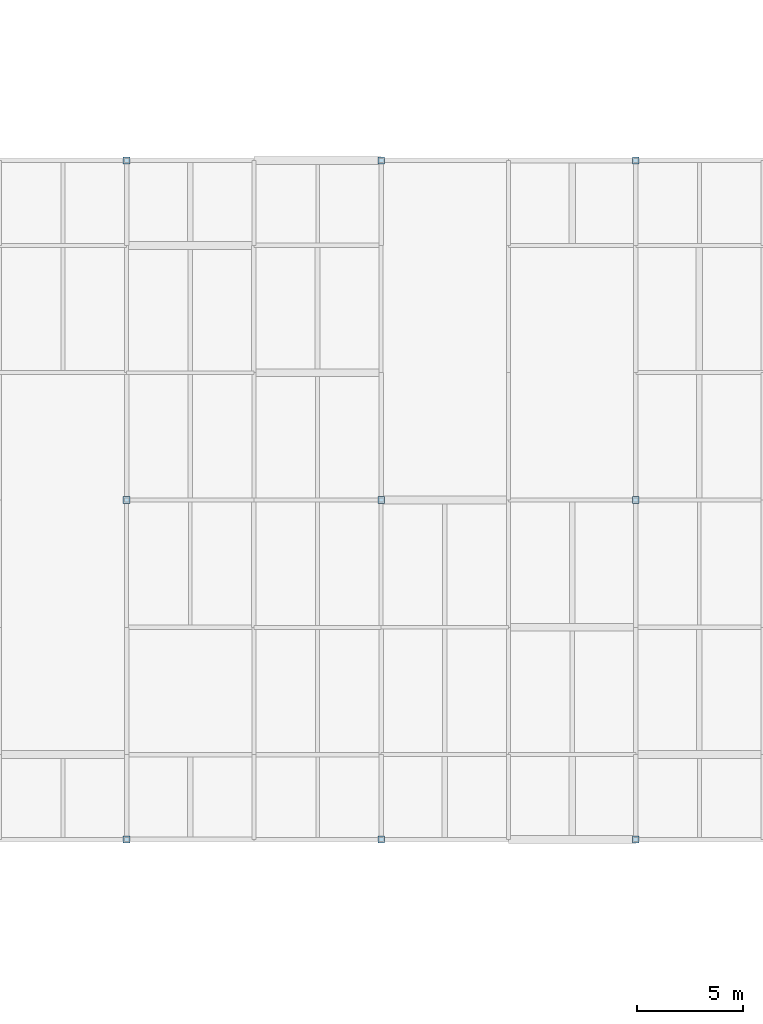
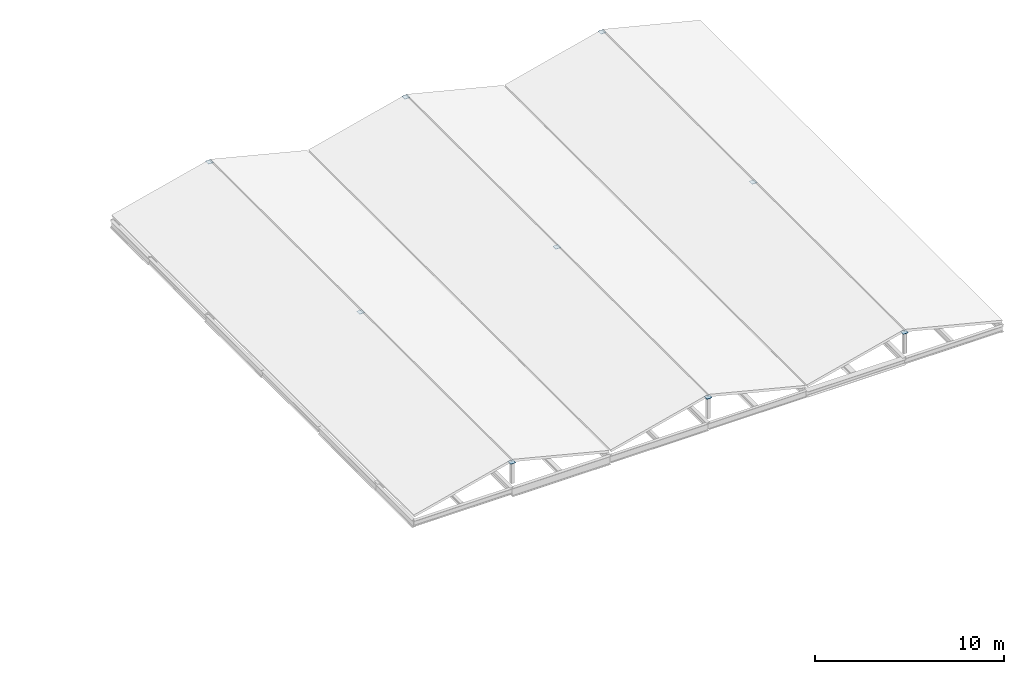
# One storey, part 29 of 35: 9 plates.
"""IFC4 building model written with IfcOpenShell, lengths in metres."""

from ifc_helpers import new_model, si_unit, direction, frame, origin, origin_2d, place, context, subcontext, project, spatial, rectangle, extrude, material, layer, layer_set, type_object, element, save


model = new_model("IFC4")

# Units and contexts
model_context = context("Model", 3, precision=1e-05, world=origin(), true_north=direction((0.0, 1.0)))
body_context = subcontext(model_context, "Body", "Model", "MODEL_VIEW")
ifc_project = project(units=[si_unit("LENGTHUNIT", "METRE"), si_unit("AREAUNIT", "SQUARE_METRE"), si_unit("VOLUMEUNIT", "CUBIC_METRE"), si_unit("PLANEANGLEUNIT", "RADIAN"), si_unit("MASSUNIT", "GRAM", prefix="KILO")], contexts=[model_context])

# Site, building, storey
site_placement = place(None, origin())
site = spatial("IfcSite", under=ifc_project, at=site_placement, CompositionType="ELEMENT")
building_placement = place(site_placement, origin())
building = spatial("IfcBuilding", under=site, at=building_placement, Name="Verrall Gate Interchange", CompositionType="ELEMENT")
storey_placement = place(building_placement, frame((0.0, 0.0, 15.39990234375)))
storey = spatial("IfcBuildingStorey", under=building, at=storey_placement, Name="L04", CompositionType="ELEMENT", Elevation=15.39990234375)

# Plates
ifc_material = material(Name="Structural Steel CSA G40.21 350WT Cat 4", Category="steel")
ifc_layer = layer(ifc_material, 0.02001953125)
ifc_layer_set = layer_set([ifc_layer], Name="Structural Steel CSA G40.21 350WT Cat 4")
plate_type = type_object("IfcPlateType", Name="GP-01 Gusset Plate 20", PredefinedType="SHEET", material=ifc_layer_set)
for number, where, z_axis, x_axis, name in (
    (1, (138.0, 12.0, 1.320068359375), (0.0, 0.0, 1.0), (1.0, 0.0, 0.0), "L04 King-Post Cap Plate 009"),
    (2, (138.0, 28.0, 1.320068359375), (0.0, 0.0, 1.0), (1.0, 0.0, 0.0), "L04 King-Post Cap Plate 010"),
    (3, (138.0, 44.0, 1.320068359375), (0.0, 0.0, 1.0), (1.0, 0.0, 0.0), "L04 King-Post Cap Plate 011"),
    (4, (150.0, 12.0, 1.320068359375), (0.0, 0.0, 1.0), (1.0, 0.0, 0.0), "L04 King-Post Cap Plate 012"),
    (5, (150.0, 28.0, 1.320068359375), (0.0, 0.0, 1.0), (1.0, 0.0, 0.0), "L04 King-Post Cap Plate 013"),
    (6, (150.0, 44.0, 1.320068359375), (0.0, 0.0, 1.0), (1.0, 0.0, 0.0), "L04 King-Post Cap Plate 014"),
    (7, (162.0, 12.0, 1.320068359375), (0.0, 0.0, 1.0), (1.0, 0.0, 0.0), "L04 King-Post Cap Plate 015"),
    (8, (162.0, 28.0, 1.320068359375), (0.0, 0.0, 1.0), (1.0, 0.0, 0.0), "L04 King-Post Cap Plate 016"),
    (9, (162.0, 44.0, 1.320068359375), (0.0, 0.0, 1.0), (1.0, 0.0, 0.0), "L04 King-Post Cap Plate 017"),
):
    element("IfcPlate", number, at=place(storey_placement, frame(where, z_axis=z_axis, x_axis=x_axis)), inside=storey, type_object=plate_type, Name=name, PredefinedType="SHEET", context=body_context, shape_type="SweptSolid", body=[
        extrude(rectangle(XDim=0.320068359375, YDim=0.320068359375, at=origin_2d()), origin(), (0.0, 0.0, 1.0), 0.02001953125),
    ])

save(model, "model.ifc")
